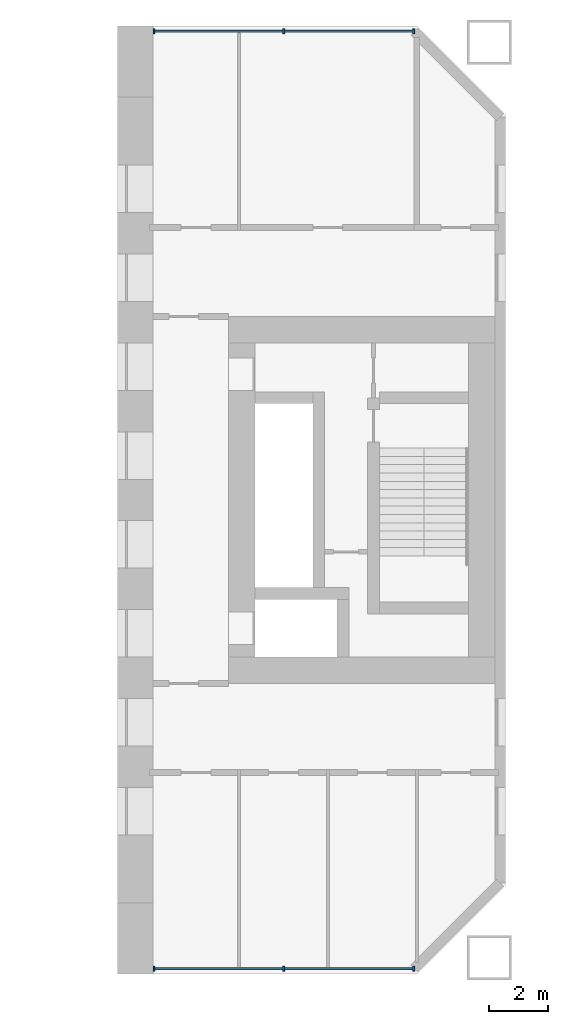
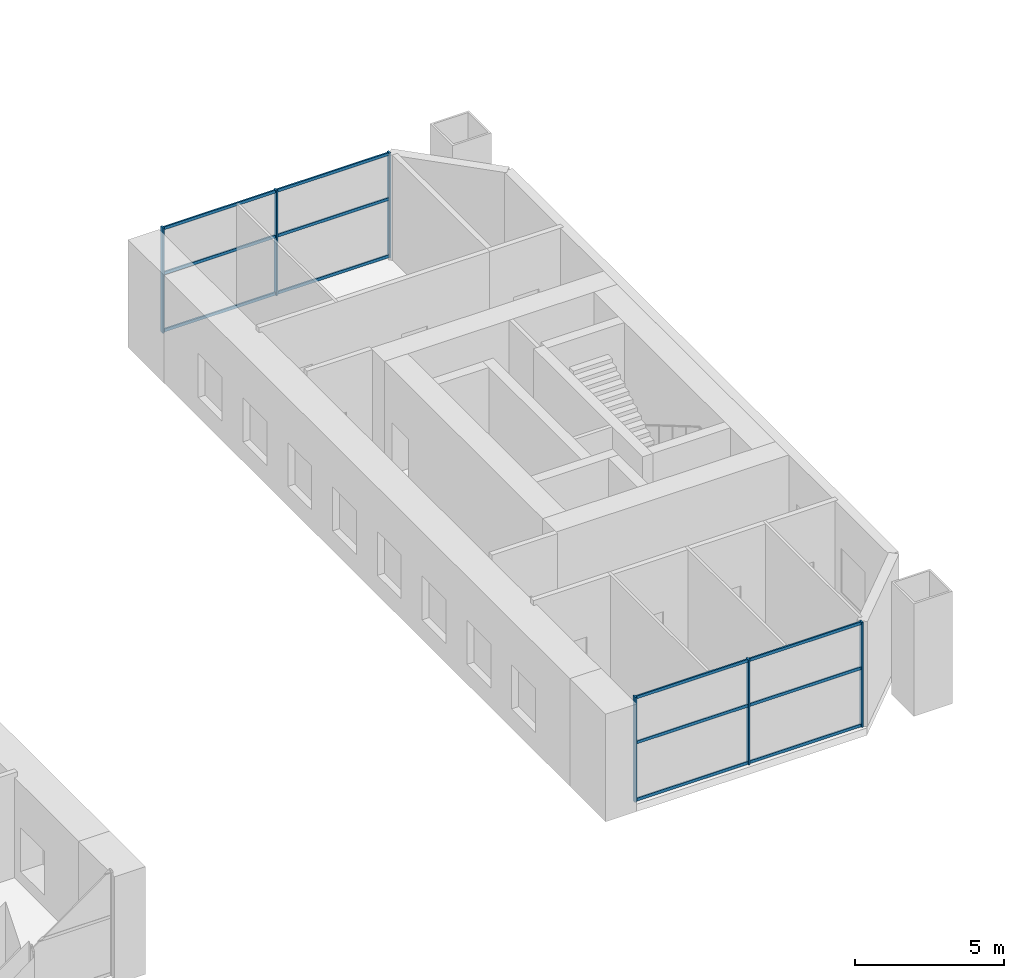
# One storey, part 4 of 19: 18 members, 2 elements without a shape of their own.
"""IFC4 building model written with IfcOpenShell, lengths in metres."""

from ifc_helpers import new_model, si_unit, direction, frame, origin, origin_2d, place, context, subcontext, project, spatial, rectangle, extrude, material, material_profile, profile_set, type_object, element, aggregate, save


model = new_model("IFC4")

# Units and contexts
model_context = context("Model", 3, precision=1e-05, world=origin(), true_north=direction((0.0, 1.0)))
body_context = subcontext(model_context, "Body", "Model", "MODEL_VIEW")
ifc_project = project(units=[si_unit("LENGTHUNIT", "METRE"), si_unit("AREAUNIT", "SQUARE_METRE"), si_unit("VOLUMEUNIT", "CUBIC_METRE"), si_unit("PLANEANGLEUNIT", "RADIAN"), si_unit("MASSUNIT", "GRAM", prefix="KILO")], contexts=[model_context])

# Site, building, storey
site_placement = place(None, origin())
site = spatial("IfcSite", under=ifc_project, at=site_placement, CompositionType="ELEMENT")
building_placement = place(site_placement, origin())
building = spatial("IfcBuilding", under=site, at=building_placement, Name="Tuart Gate Housing", CompositionType="ELEMENT")
storey_placement = place(building_placement, frame((0.0, 0.0, 10.10009765625)))
storey = spatial("IfcBuildingStorey", under=building, at=storey_placement, Name="L02", CompositionType="ELEMENT", Elevation=10.10009765625)

# Curtain wall, members
ifc_material_1 = material(Name="Aluminium and clear glass", Category="aluminium")
curtain_wall_type = type_object("IfcCurtainWallType", Name="Podium health glazing", PredefinedType="USERDEFINED", material=ifc_material_1)
curtain_wall_1_placement = place(storey_placement, origin())
curtain_wall_1 = element("IfcCurtainWall", 1, at=curtain_wall_1_placement, inside=storey, type_object=curtain_wall_type, Name="Podium health glazing A-S L02", ObjectType="PODIUM HEALTH GLAZING", PredefinedType="USERDEFINED")
ifc_material_2 = material(Name="Anodised aluminium", Category="aluminium")
ifc_material_profile_1 = material_profile(ifc_material_2, rectangle(XDim=0.06005859375, YDim=0.159912109375, at=origin_2d()), Name="60x160")
ifc_profile_set_1 = profile_set([ifc_material_profile_1], Name="Anodised aluminium")
member_type_1 = type_object("IfcMemberType", Name="Mullion 60 x 160", PredefinedType="MULLION", material=ifc_profile_set_1)
member_1_placement = place(storey_placement, frame((64.1298828125, 54.179931640625, 0.0), z_axis=(0.0, 0.0, 1.0), x_axis=(1.0, 0.0, 0.0)))
member_1 = element("IfcMember", 2, at=member_1_placement, type_object=member_type_1, Name="CW1 mullion 1", PredefinedType="MULLION", context=body_context, shape_type="SweptSolid", body=[
    extrude(rectangle(XDim=0.06005859375, YDim=0.159912109375, at=origin_2d()), origin(), (0.0, 0.0, 1.0), 4.2998046875),
])
member_2_placement = place(storey_placement, frame((68.5126953125, 54.179931640625, 0.0), z_axis=(0.0, 0.0, 1.0), x_axis=(1.0, 0.0, 0.0)))
member_2 = element("IfcMember", 3, at=member_2_placement, type_object=member_type_1, Name="CW1 mullion 2", PredefinedType="MULLION", context=body_context, shape_type="SweptSolid", body=[
    extrude(rectangle(XDim=0.06005859375, YDim=0.159912109375, at=origin_2d()), origin(), (0.0, 0.0, 1.0), 4.2998046875),
])
member_3_placement = place(storey_placement, frame((72.8955078125, 54.179931640625, 0.0), z_axis=(0.0, 0.0, 1.0), x_axis=(1.0, 0.0, 0.0)))
member_3 = element("IfcMember", 4, at=member_3_placement, type_object=member_type_1, Name="CW1 mullion 3", PredefinedType="MULLION", context=body_context, shape_type="SweptSolid", body=[
    extrude(rectangle(XDim=0.06005859375, YDim=0.159912109375, at=origin_2d()), origin(), (0.0, 0.0, 1.0), 4.2998046875),
])

curtain_wall_2_placement = place(storey_placement, origin())
curtain_wall_2 = element("IfcCurtainWall", 5, at=curtain_wall_2_placement, inside=storey, type_object=curtain_wall_type, Name="Podium health glazing A-N L02", ObjectType="PODIUM HEALTH GLAZING", PredefinedType="USERDEFINED")
member_4_placement = place(storey_placement, frame((72.8955078125, 85.820068359375, 0.0), z_axis=(0.0, 0.0, 1.0), x_axis=(-1.0, 0.0, 0.0)))
member_4 = element("IfcMember", 6, at=member_4_placement, type_object=member_type_1, Name="CW1 mullion 1", PredefinedType="MULLION", context=body_context, shape_type="SweptSolid", body=[
    extrude(rectangle(XDim=0.06005859375, YDim=0.159912109375, at=origin_2d()), origin(), (0.0, 0.0, 1.0), 4.2998046875),
])
member_5_placement = place(storey_placement, frame((68.5126953125, 85.820068359375, 0.0), z_axis=(0.0, 0.0, 1.0), x_axis=(-1.0, 0.0, 0.0)))
member_5 = element("IfcMember", 7, at=member_5_placement, type_object=member_type_1, Name="CW1 mullion 2", PredefinedType="MULLION", context=body_context, shape_type="SweptSolid", body=[
    extrude(rectangle(XDim=0.06005859375, YDim=0.159912109375, at=origin_2d()), origin(), (0.0, 0.0, 1.0), 4.2998046875),
])
member_6_placement = place(storey_placement, frame((64.1298828125, 85.820068359375, 0.0), z_axis=(0.0, 0.0, 1.0), x_axis=(-1.0, 0.0, 0.0)))
member_6 = element("IfcMember", 8, at=member_6_placement, type_object=member_type_1, Name="CW1 mullion 3", PredefinedType="MULLION", context=body_context, shape_type="SweptSolid", body=[
    extrude(rectangle(XDim=0.06005859375, YDim=0.159912109375, at=origin_2d()), origin(), (0.0, 0.0, 1.0), 4.2998046875),
])

# Member
ifc_material_3 = material(Name="Anodised aluminium", Category="aluminium")
ifc_material_profile_2 = material_profile(ifc_material_3, rectangle(XDim=0.06005859375, YDim=0.1201171875, at=origin_2d()), Name="60x120")
ifc_profile_set_2 = profile_set([ifc_material_profile_2], Name="Anodised aluminium")
member_type_2 = type_object("IfcMemberType", Name="Transom 60 x 120", PredefinedType="USERDEFINED", material=ifc_profile_set_2)
member_7_placement = place(storey_placement, frame((64.159912109375, 54.179931640625, 0.059814453125), z_axis=(1.0, 0.0, 0.0), x_axis=(0.0, 1.0, 0.0)))
member_7 = element("IfcMember", 9, at=member_7_placement, type_object=member_type_2, Name="CW1 transom 1.1", ObjectType="TRANSOM", PredefinedType="USERDEFINED", context=body_context, shape_type="SweptSolid", body=[
    extrude(rectangle(XDim=0.06005859375, YDim=0.1201171875, at=origin_2d()), origin(), (0.0, 0.0, 1.0), 4.32275390625),
])

member_8_placement = place(storey_placement, frame((64.159912109375, 54.179931640625, 2.39990234375), z_axis=(1.0, 0.0, 0.0), x_axis=(0.0, 1.0, 0.0)))
member_8 = element("IfcMember", 10, at=member_8_placement, type_object=member_type_2, Name="CW1 transom 1.2", ObjectType="TRANSOM", PredefinedType="USERDEFINED", context=body_context, shape_type="SweptSolid", body=[
    extrude(rectangle(XDim=0.06005859375, YDim=0.1201171875, at=origin_2d()), origin(), (0.0, 0.0, 1.0), 4.32275390625),
])

member_9_placement = place(storey_placement, frame((64.159912109375, 54.179931640625, 4.239990234375), z_axis=(1.0, 0.0, 0.0), x_axis=(0.0, 1.0, 0.0)))
member_9 = element("IfcMember", 11, at=member_9_placement, type_object=member_type_2, Name="CW1 transom 1.3", ObjectType="TRANSOM", PredefinedType="USERDEFINED", context=body_context, shape_type="SweptSolid", body=[
    extrude(rectangle(XDim=0.06005859375, YDim=0.1201171875, at=origin_2d()), origin(), (0.0, 0.0, 1.0), 4.32275390625),
])

member_10_placement = place(storey_placement, frame((68.542724609375, 54.179931640625, 0.059814453125), z_axis=(1.0, 0.0, 0.0), x_axis=(0.0, 1.0, 0.0)))
member_10 = element("IfcMember", 12, at=member_10_placement, type_object=member_type_2, Name="CW1 transom 2.1", ObjectType="TRANSOM", PredefinedType="USERDEFINED", context=body_context, shape_type="SweptSolid", body=[
    extrude(rectangle(XDim=0.06005859375, YDim=0.1201171875, at=origin_2d()), origin(), (0.0, 0.0, 1.0), 4.32275390625),
])

member_11_placement = place(storey_placement, frame((68.542724609375, 54.179931640625, 2.39990234375), z_axis=(1.0, 0.0, 0.0), x_axis=(0.0, 1.0, 0.0)))
member_11 = element("IfcMember", 13, at=member_11_placement, type_object=member_type_2, Name="CW1 transom 2.2", ObjectType="TRANSOM", PredefinedType="USERDEFINED", context=body_context, shape_type="SweptSolid", body=[
    extrude(rectangle(XDim=0.06005859375, YDim=0.1201171875, at=origin_2d()), origin(), (0.0, 0.0, 1.0), 4.32275390625),
])

member_12_placement = place(storey_placement, frame((68.542724609375, 54.179931640625, 4.239990234375), z_axis=(1.0, 0.0, 0.0), x_axis=(0.0, 1.0, 0.0)))
member_12 = element("IfcMember", 14, at=member_12_placement, type_object=member_type_2, Name="CW1 transom 2.3", ObjectType="TRANSOM", PredefinedType="USERDEFINED", context=body_context, shape_type="SweptSolid", body=[
    extrude(rectangle(XDim=0.06005859375, YDim=0.1201171875, at=origin_2d()), origin(), (0.0, 0.0, 1.0), 4.32275390625),
])

aggregate(curtain_wall_1, [member_1, member_2, member_3, member_7, member_8, member_9, member_10, member_11, member_12])

member_13_placement = place(storey_placement, frame((72.865478515625, 85.820068359375, 0.059814453125), z_axis=(-1.0, 0.0, 0.0), x_axis=(0.0, -1.0, 0.0)))
member_13 = element("IfcMember", 15, at=member_13_placement, type_object=member_type_2, Name="CW1 transom 1.1", ObjectType="TRANSOM", PredefinedType="USERDEFINED", context=body_context, shape_type="SweptSolid", body=[
    extrude(rectangle(XDim=0.06005859375, YDim=0.1201171875, at=origin_2d()), origin(), (0.0, 0.0, 1.0), 4.32275390625),
])

member_14_placement = place(storey_placement, frame((72.865478515625, 85.820068359375, 2.39990234375), z_axis=(-1.0, 0.0, 0.0), x_axis=(0.0, -1.0, 0.0)))
member_14 = element("IfcMember", 16, at=member_14_placement, type_object=member_type_2, Name="CW1 transom 1.2", ObjectType="TRANSOM", PredefinedType="USERDEFINED", context=body_context, shape_type="SweptSolid", body=[
    extrude(rectangle(XDim=0.06005859375, YDim=0.1201171875, at=origin_2d()), origin(), (0.0, 0.0, 1.0), 4.32275390625),
])

member_15_placement = place(storey_placement, frame((72.865478515625, 85.820068359375, 4.239990234375), z_axis=(-1.0, 0.0, 0.0), x_axis=(0.0, -1.0, 0.0)))
member_15 = element("IfcMember", 17, at=member_15_placement, type_object=member_type_2, Name="CW1 transom 1.3", ObjectType="TRANSOM", PredefinedType="USERDEFINED", context=body_context, shape_type="SweptSolid", body=[
    extrude(rectangle(XDim=0.06005859375, YDim=0.1201171875, at=origin_2d()), origin(), (0.0, 0.0, 1.0), 4.32275390625),
])

member_16_placement = place(storey_placement, frame((68.482666015625, 85.820068359375, 0.059814453125), z_axis=(-1.0, 0.0, 0.0), x_axis=(0.0, -1.0, 0.0)))
member_16 = element("IfcMember", 18, at=member_16_placement, type_object=member_type_2, Name="CW1 transom 2.1", ObjectType="TRANSOM", PredefinedType="USERDEFINED", context=body_context, shape_type="SweptSolid", body=[
    extrude(rectangle(XDim=0.06005859375, YDim=0.1201171875, at=origin_2d()), origin(), (0.0, 0.0, 1.0), 4.32275390625),
])

member_17_placement = place(storey_placement, frame((68.482666015625, 85.820068359375, 2.39990234375), z_axis=(-1.0, 0.0, 0.0), x_axis=(0.0, -1.0, 0.0)))
member_17 = element("IfcMember", 19, at=member_17_placement, type_object=member_type_2, Name="CW1 transom 2.2", ObjectType="TRANSOM", PredefinedType="USERDEFINED", context=body_context, shape_type="SweptSolid", body=[
    extrude(rectangle(XDim=0.06005859375, YDim=0.1201171875, at=origin_2d()), origin(), (0.0, 0.0, 1.0), 4.32275390625),
])

member_18_placement = place(storey_placement, frame((68.482666015625, 85.820068359375, 4.239990234375), z_axis=(-1.0, 0.0, 0.0), x_axis=(0.0, -1.0, 0.0)))
member_18 = element("IfcMember", 20, at=member_18_placement, type_object=member_type_2, Name="CW1 transom 2.3", ObjectType="TRANSOM", PredefinedType="USERDEFINED", context=body_context, shape_type="SweptSolid", body=[
    extrude(rectangle(XDim=0.06005859375, YDim=0.1201171875, at=origin_2d()), origin(), (0.0, 0.0, 1.0), 4.32275390625),
])

aggregate(curtain_wall_2, [member_4, member_5, member_6, member_13, member_14, member_15, member_16, member_17, member_18])

save(model, "model.ifc")
